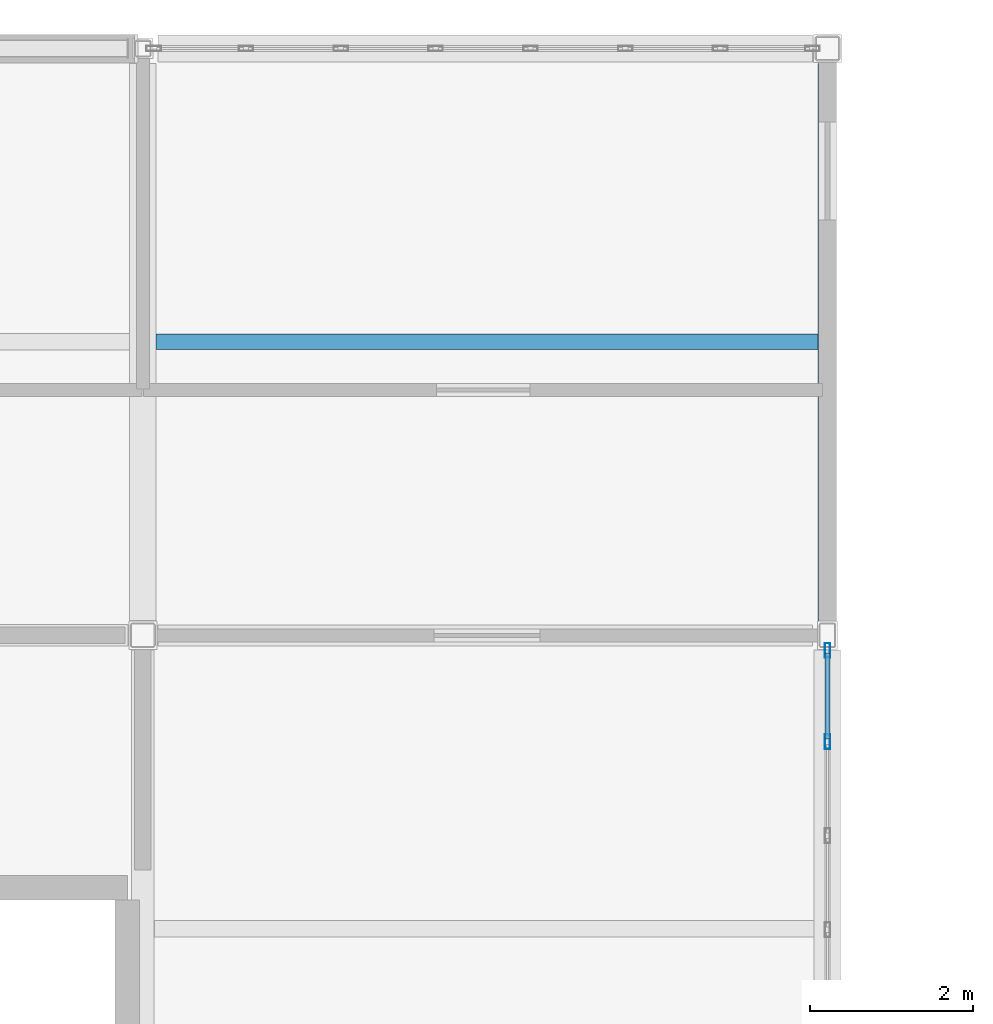
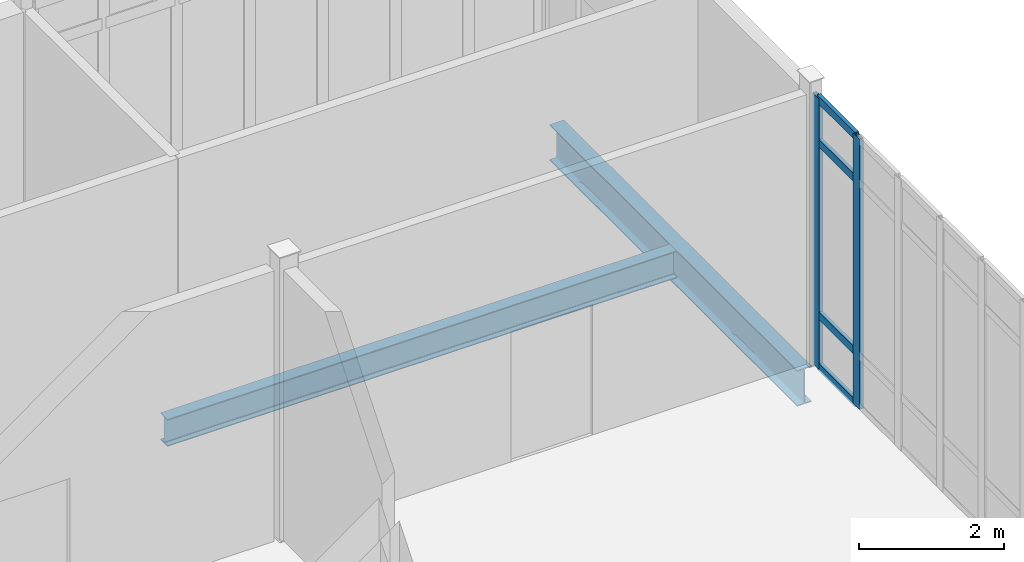
# One storey, part 67 of 153: 6 members, 2 beams, 1 element without a shape of its own.
"""IFC4 building model written with IfcOpenShell, lengths in metres."""

from ifc_helpers import new_model, si_unit, direction, frame, origin, origin_2d, place, context, subcontext, project, spatial, hollow_rectangle, i_section, extrude, material, layer, layer_set, material_profile, profile_set, type_object, element, aggregate, save


model = new_model("IFC4")

# Units and contexts
model_context = context("Model", 3, precision=1e-05, world=origin(), true_north=direction((0.0, 1.0)))
body_context = subcontext(model_context, "Body", "Model", "MODEL_VIEW")
ifc_project = project(units=[si_unit("LENGTHUNIT", "METRE"), si_unit("AREAUNIT", "SQUARE_METRE"), si_unit("VOLUMEUNIT", "CUBIC_METRE"), si_unit("PLANEANGLEUNIT", "RADIAN"), si_unit("MASSUNIT", "GRAM", prefix="KILO")], contexts=[model_context])

# Site, building, storey
site_placement = place(None, origin())
site = spatial("IfcSite", under=ifc_project, at=site_placement, CompositionType="ELEMENT")
building_placement = place(site_placement, origin())
building = spatial("IfcBuilding", under=site, at=building_placement, Name="Calvrana Isthmian Art Gallery", CompositionType="ELEMENT")
storey_placement = place(building_placement, frame((0.0, 0.0, 10.199951171875)))
storey = spatial("IfcBuildingStorey", under=building, at=storey_placement, Name="L02", CompositionType="ELEMENT", Elevation=10.199951171875)

# Beams
ifc_material_1 = material(Name="Steel ASTM A992 Gr 50", Category="steel")
ifc_material_profile_1 = material_profile(ifc_material_1, i_section(OverallWidth=0.22802734375, OverallDepth=0.60693359375, WebThickness=0.01123046875, FlangeThickness=0.017333984375, FilletRadius=0.02197265625, at=origin_2d()), Name="W24X76")
ifc_profile_set_1 = profile_set([ifc_material_profile_1], Name="Steel ASTM A992 Gr 50")
beam_type_1 = type_object("IfcBeamType", Name="BM-G-W24X76", PredefinedType="BEAM", material=ifc_profile_set_1)
beam_1_placement = place(storey_placement, frame((63.60009765625, 105.778076171875, -0.568359375), z_axis=(0.0, 1.0, 0.0), x_axis=(-1.0, 0.0, 0.0)))
element("IfcBeam", 1, at=beam_1_placement, inside=storey, type_object=beam_type_1, Name="Girder Y L02 09/O-P", PredefinedType="BEAM", context=body_context, shape_type="SweptSolid", body=[
    extrude(i_section(OverallWidth=0.22802734375, OverallDepth=0.60693359375, WebThickness=0.01123046875, FlangeThickness=0.017333984375, FilletRadius=0.02197265625, at=origin_2d()), origin(), (0.0, 0.0, 1.0), 6.84033203125),
])
ifc_material_profile_2 = material_profile(ifc_material_1, i_section(OverallWidth=0.19091796875, OverallDepth=0.45703125, WebThickness=0.009033203125, FlangeThickness=0.014404296875, FilletRadius=0.02001953125, at=origin_2d()), Name="W18X50")
ifc_profile_set_2 = profile_set([ifc_material_profile_2], Name="Steel ASTM A992 Gr 50")
beam_type_2 = type_object("IfcBeamType", Name="BM-J-W18X50", PredefinedType="JOIST", material=ifc_profile_set_2)
beam_2_placement = place(storey_placement, frame((55.362548828125, 109.199951171875, -0.493408203125), z_axis=(1.0, 0.0, 0.0), x_axis=(0.0, 1.0, 0.0)))
element("IfcBeam", 2, at=beam_2_placement, inside=storey, type_object=beam_type_2, Name="Composite joist L02 bay 07-14", PredefinedType="JOIST", context=body_context, shape_type="SweptSolid", body=[
    extrude(i_section(OverallWidth=0.19091796875, OverallDepth=0.45703125, WebThickness=0.009033203125, FlangeThickness=0.014404296875, FilletRadius=0.02001953125, at=origin_2d()), origin(), (0.0, 0.0, 1.0), 8.12353515625),
])

# Curtain wall, members
ifc_material_2 = material(Name="Anodized bronze aluminium 6063-T6", Category="aluminium")
ifc_layer = layer(ifc_material_2, 0.179931640625, Name="Anodized bronze aluminium 6063-T6")
ifc_layer_set = layer_set([ifc_layer], Name="Anodized bronze aluminium 6063-T6")
curtain_wall_type = type_object("IfcCurtainWallType", Name="CW-STICK-069X46", PredefinedType="NOTDEFINED", material=ifc_layer_set)
curtain_wall_placement = place(storey_placement, origin())
curtain_wall = element("IfcCurtainWall", 3, at=curtain_wall_placement, inside=storey, type_object=curtain_wall_type, Name="Curtain wall CW-176", PredefinedType="NOTDEFINED")
ifc_material_profile_3 = material_profile(ifc_material_2, hollow_rectangle(XDim=0.06494140625, YDim=0.179931640625, WallThickness=0.00439453125, at=origin_2d()), Name="CWM65X180")
ifc_profile_set_3 = profile_set([ifc_material_profile_3], Name="Anodized bronze aluminium 6063-T6")
member_type_1 = type_object("IfcMemberType", Name="CWM-CWM65X180", PredefinedType="MULLION", material=ifc_profile_set_3)
member_1_placement = place(storey_placement, frame((63.60009765625, 105.4150390625, 0.0), z_axis=(0.0, 0.0, 1.0), x_axis=(1.0, 0.0, 0.0)))
member_1 = element("IfcMember", 4, at=member_1_placement, type_object=member_type_1, Name="CW-176 mullion 1", PredefinedType="MULLION", context=body_context, shape_type="SweptSolid", body=[
    extrude(hollow_rectangle(XDim=0.06494140625, YDim=0.179931640625, WallThickness=0.00439453125, at=origin_2d()), origin(), (0.0, 0.0, 1.0), 4.56005859375),
])
member_2_placement = place(storey_placement, frame((63.60009765625, 104.294189453125, 0.0), z_axis=(0.0, 0.0, 1.0), x_axis=(1.0, 0.0, 0.0)))
member_2 = element("IfcMember", 5, at=member_2_placement, type_object=member_type_1, Name="CW-176 mullion 2", PredefinedType="MULLION", context=body_context, shape_type="SweptSolid", body=[
    extrude(hollow_rectangle(XDim=0.06494140625, YDim=0.179931640625, WallThickness=0.00439453125, at=origin_2d()), origin(), (0.0, 0.0, 1.0), 4.56005859375),
])
ifc_material_profile_4 = material_profile(ifc_material_2, hollow_rectangle(XDim=0.06005859375, YDim=0.1298828125, WallThickness=0.00390625, at=origin_2d()), Name="CWT60X130")
ifc_profile_set_4 = profile_set([ifc_material_profile_4], Name="Anodized bronze aluminium 6063-T6")
member_type_2 = type_object("IfcMemberType", Name="CWT-CWT60X130", PredefinedType="USERDEFINED", material=ifc_profile_set_4)
member_3_placement = place(storey_placement, frame((63.60009765625, 105.382568359375, 0.030029296875), z_axis=(0.0, -1.0, 0.0), x_axis=(1.0, 0.0, 0.0)))
member_3 = element("IfcMember", 6, at=member_3_placement, type_object=member_type_2, Name="CW-176 transom 1.1", ObjectType="TRANSOM", PredefinedType="USERDEFINED", context=body_context, shape_type="SweptSolid", body=[
    extrude(hollow_rectangle(XDim=0.06005859375, YDim=0.1298828125, WallThickness=0.00390625, at=origin_2d()), origin(), (0.0, 0.0, 1.0), 1.055908203125),
])
member_4_placement = place(storey_placement, frame((63.60009765625, 105.382568359375, 0.900146484375), z_axis=(0.0, -1.0, 0.0), x_axis=(1.0, 0.0, 0.0)))
member_4 = element("IfcMember", 7, at=member_4_placement, type_object=member_type_2, Name="CW-176 transom 1.2", ObjectType="TRANSOM", PredefinedType="USERDEFINED", context=body_context, shape_type="SweptSolid", body=[
    extrude(hollow_rectangle(XDim=0.06005859375, YDim=0.1298828125, WallThickness=0.00390625, at=origin_2d()), origin(), (0.0, 0.0, 1.0), 1.055908203125),
])
member_5_placement = place(storey_placement, frame((63.60009765625, 105.382568359375, 3.81005859375), z_axis=(0.0, -1.0, 0.0), x_axis=(1.0, 0.0, 0.0)))
member_5 = element("IfcMember", 8, at=member_5_placement, type_object=member_type_2, Name="CW-176 transom 1.3", ObjectType="TRANSOM", PredefinedType="USERDEFINED", context=body_context, shape_type="SweptSolid", body=[
    extrude(hollow_rectangle(XDim=0.06005859375, YDim=0.1298828125, WallThickness=0.00390625, at=origin_2d()), origin(), (0.0, 0.0, 1.0), 1.055908203125),
])
member_6_placement = place(storey_placement, frame((63.60009765625, 105.382568359375, 4.530029296875), z_axis=(0.0, -1.0, 0.0), x_axis=(1.0, 0.0, 0.0)))
member_6 = element("IfcMember", 9, at=member_6_placement, type_object=member_type_2, Name="CW-176 transom 1.4", ObjectType="TRANSOM", PredefinedType="USERDEFINED", context=body_context, shape_type="SweptSolid", body=[
    extrude(hollow_rectangle(XDim=0.06005859375, YDim=0.1298828125, WallThickness=0.00390625, at=origin_2d()), origin(), (0.0, 0.0, 1.0), 1.055908203125),
])
aggregate(curtain_wall, [member_1, member_2, member_3, member_4, member_5, member_6])

save(model, "model.ifc")
